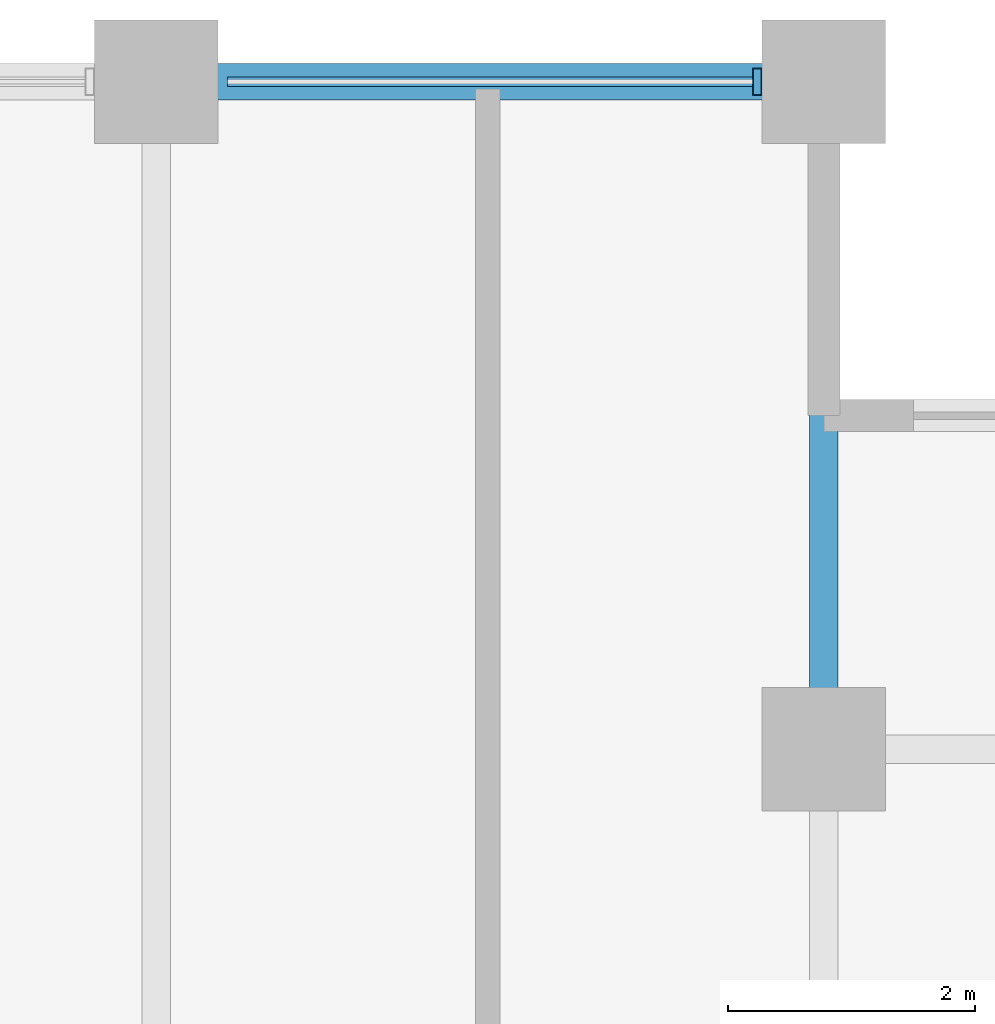
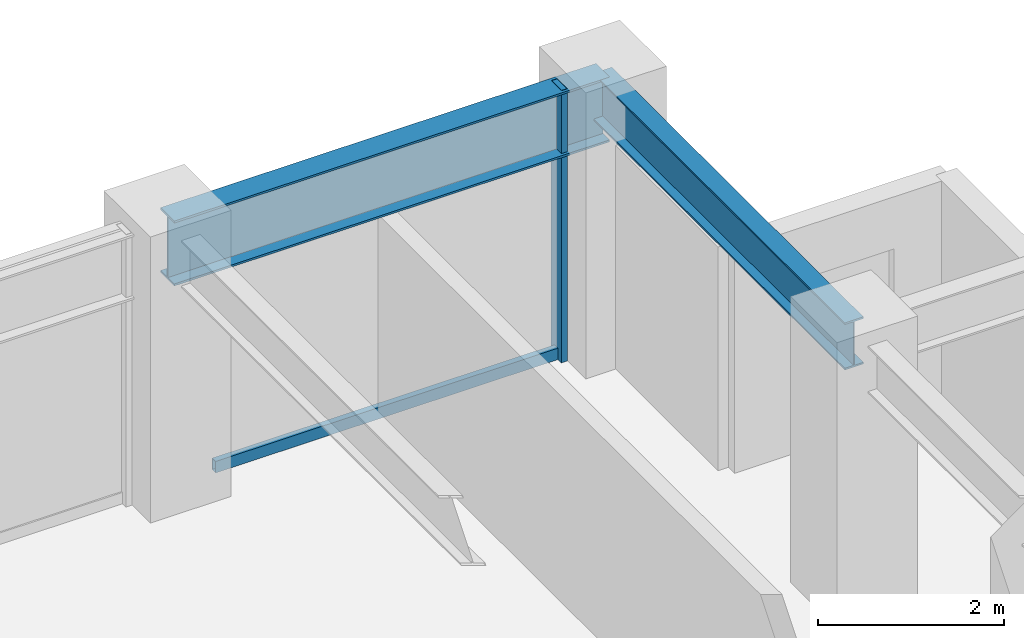
# One storey, part 19 of 29: 2 beams, 2 members, 1 element without a shape of its own.
"""IFC4 building model written with IfcOpenShell, lengths in metres."""

from ifc_helpers import new_model, si_unit, direction, frame, origin, origin_2d, place, context, subcontext, project, spatial, hollow_rectangle, i_section, extrude, material, layer, layer_set, material_profile, profile_set, type_object, element, aggregate, save


model = new_model("IFC4")

# Units and contexts
model_context = context("Model", 3, precision=1e-05, world=origin(), true_north=direction((0.0, 1.0)))
body_context = subcontext(model_context, "Body", "Model", "MODEL_VIEW")
ifc_project = project(units=[si_unit("LENGTHUNIT", "METRE"), si_unit("AREAUNIT", "SQUARE_METRE"), si_unit("VOLUMEUNIT", "CUBIC_METRE"), si_unit("PLANEANGLEUNIT", "RADIAN"), si_unit("MASSUNIT", "GRAM", prefix="KILO")], contexts=[model_context])

# Site, building, storey
site_placement = place(None, origin())
site = spatial("IfcSite", under=ifc_project, at=site_placement, CompositionType="ELEMENT")
building_placement = place(site_placement, origin())
building = spatial("IfcBuilding", under=site, at=building_placement, Name="Surkhivell Harbour Commons", CompositionType="ELEMENT")
storey_placement = place(building_placement, frame((0.0, 0.0, 150.75)))
storey = spatial("IfcBuildingStorey", under=building, at=storey_placement, Name="L39", CompositionType="ELEMENT", Elevation=150.75)

# Beams
ifc_material_1 = material(Name="Steel S355", Category="steel")
ifc_material_profile_1 = material_profile(ifc_material_1, i_section(OverallWidth=0.22998046875, OverallDepth=0.616943359375, WebThickness=0.01318359375, FlangeThickness=0.022216796875, at=origin_2d()), Name="UB610x229x140")
ifc_profile_set_1 = profile_set([ifc_material_profile_1], Name="Steel S355")
beam_type_1 = type_object("IfcBeamType", Name="BM-GRD-610B", PredefinedType="BEAM", material=ifc_profile_set_1)
beam_1_placement = place(storey_placement, frame((16.199951171875, 20.5, 3.261474609375), z_axis=(0.0, 1.0, 0.0), x_axis=(-1.0, 0.0, 0.0)))
element("IfcBeam", 1, at=beam_1_placement, inside=storey, type_object=beam_type_1, Name="L39 Floor Girder (16.2,20.5)", PredefinedType="BEAM", context=body_context, shape_type="SweptSolid", body=[
    extrude(i_section(OverallWidth=0.22998046875, OverallDepth=0.616943359375, WebThickness=0.01318359375, FlangeThickness=0.022216796875, at=origin_2d()), origin(), (0.0, 0.0, 1.0), 5.39990234375),
])
ifc_material_2 = material(Name="Steel S460", Category="steel")
ifc_material_profile_2 = material_profile(ifc_material_2, i_section(OverallWidth=0.2939453125, OverallDepth=0.85107421875, WebThickness=0.01611328125, FlangeThickness=0.02685546875, at=origin_2d()), Name="UB838x292x226")
ifc_profile_set_2 = profile_set([ifc_material_profile_2], Name="Steel S460")
beam_type_2 = type_object("IfcBeamType", Name="BM-SPN-838", PredefinedType="SPANDREL", material=ifc_profile_set_2)
beam_2_placement = place(storey_placement, frame((10.800048828125, 25.89990234375, 3.14453125), z_axis=(1.0, 0.0, 0.0), x_axis=(0.0, 1.0, 0.0)))
element("IfcBeam", 2, at=beam_2_placement, inside=storey, type_object=beam_type_2, Name="L39 Tube Spandrel (10.8,25.9)", PredefinedType="SPANDREL", context=body_context, shape_type="SweptSolid", body=[
    extrude(i_section(OverallWidth=0.2939453125, OverallDepth=0.85107421875, WebThickness=0.01611328125, FlangeThickness=0.02685546875, at=origin_2d()), origin(), (0.0, 0.0, 1.0), 5.39990234375),
])

# Curtain wall, members
ifc_material_3 = material(Name="Anodised pale-metal aluminium and insulated glazing", Category="aluminium")
ifc_layer = layer(ifc_material_3, 0.205078125)
ifc_layer_set = layer_set([ifc_layer], Name="Anodised pale-metal aluminium and insulated glazing")
curtain_wall_type = type_object("IfcCurtainWallType", Name="CW-SYS-Z2", PredefinedType="NOTDEFINED", material=ifc_layer_set)
curtain_wall_placement = place(storey_placement, origin())
curtain_wall = element("IfcCurtainWall", 3, at=curtain_wall_placement, inside=storey, type_object=curtain_wall_type, Name="L39 Curtain Wall CW-L39-E07S1", PredefinedType="NOTDEFINED")
ifc_material_4 = material(Name="Anodised pale-metal aluminium alloy 6063-T6", Category="aluminium")
ifc_material_profile_3 = material_profile(ifc_material_4, hollow_rectangle(XDim=0.074951171875, YDim=0.219970703125, WallThickness=0.00390625, at=origin_2d()), Name="ALU-MULL-75x220")
ifc_profile_set_3 = profile_set([ifc_material_profile_3], Name="Anodised pale-metal aluminium alloy 6063-T6")
member_type_1 = type_object("IfcMemberType", Name="CWM-220", PredefinedType="MULLION", material=ifc_profile_set_3)
member_1_placement = place(storey_placement, frame((15.660400390625, 25.89990234375, 0.0), z_axis=(0.0, 0.0, 1.0), x_axis=(-1.0, 0.0, 0.0)))
member_1 = element("IfcMember", 4, at=member_1_placement, type_object=member_type_1, Name="CW-Z2 mullion 1", PredefinedType="MULLION", context=body_context, shape_type="SweptSolid", body=[
    extrude(hollow_rectangle(XDim=0.074951171875, YDim=0.219970703125, WallThickness=0.00390625, at=origin_2d()), origin(), (0.0, 0.0, 1.0), 3.570068359375),
])
ifc_material_profile_4 = material_profile(ifc_material_4, hollow_rectangle(XDim=0.074951171875, YDim=0.14990234375, WallThickness=0.00341796875, at=origin_2d()), Name="ALU-TRAN-75x150")
ifc_profile_set_4 = profile_set([ifc_material_profile_4], Name="Anodised pale-metal aluminium alloy 6063-T6")
member_type_2 = type_object("IfcMemberType", Name="CWT-150", PredefinedType="USERDEFINED", material=ifc_profile_set_4)
member_2_placement = place(storey_placement, frame((15.623046875, 25.89990234375, 0.074951171875), z_axis=(-1.0, 0.0, 0.0), x_axis=(0.0, -1.0, 0.0)))
member_2 = element("IfcMember", 5, at=member_2_placement, type_object=member_type_2, Name="CW-Z2 transom 1.1", ObjectType="TRANSOM", PredefinedType="USERDEFINED", context=body_context, shape_type="SweptSolid", body=[
    extrude(hollow_rectangle(XDim=0.074951171875, YDim=0.14990234375, WallThickness=0.00341796875, at=origin_2d()), origin(), (0.0, 0.0, 1.0), 4.24609375),
])
aggregate(curtain_wall, [member_1, member_2])

save(model, "model.ifc")
